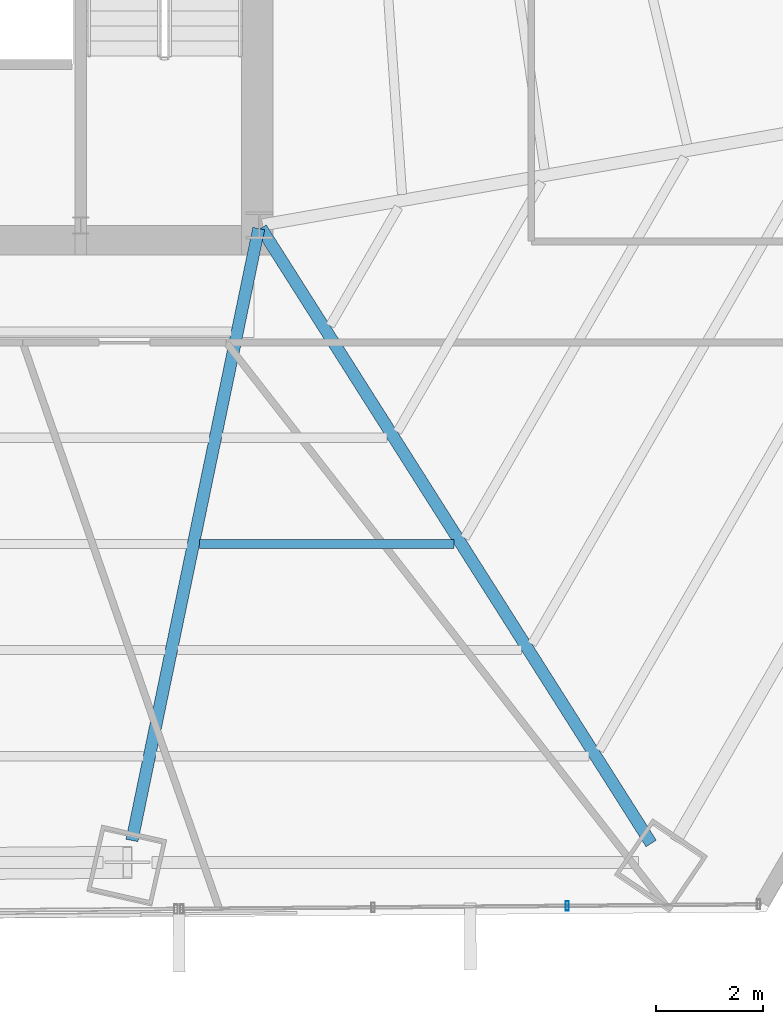
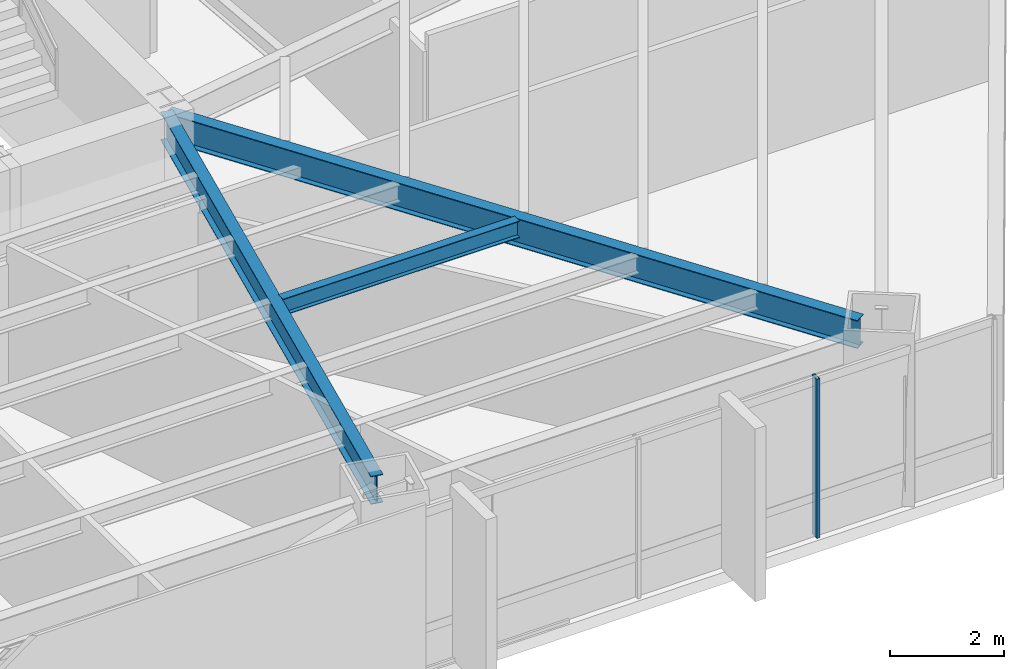
# One storey, part 16 of 34: 3 beams, 1 member, 1 element without a shape of its own.
"""IFC4 building model written with IfcOpenShell, lengths in metres."""

import ifcopenshell
import ifcopenshell.guid

model = None  # the IFC model being written
_history = None  # IfcOwnerHistory: only IFC2X3 demands one
_inside = {}  # id of a spatial element -> (the spatial element, [elements in it])
_under = {}  # id of a project, library or spatial element -> (it, [spatial elements below it])
_declared = {}  # id of a project -> (the project, [libraries it declares])
_typed = {}  # id of a type object -> (the type object, [elements of that type])
_made_of = {}  # id of a material, layer set ... -> (it, [elements and type objects made of it])


def new_model(schema):
    """Start an empty IFC model of exactly this schema.

    Asked for "IFC4X3", IfcOpenShell would pick the latest addendum, in which some entities
    have other attributes; the version numbers below select the first issue.
    IFC2X3 requires an IfcOwnerHistory on every rooted entity: one is made here for all.
    """
    global model, _history
    if schema == "IFC4X3":
        model = ifcopenshell.file(schema_version=(4, 3, 0, 0))
    else:
        model = ifcopenshell.file(schema=schema)
    _inside.clear()
    _under.clear()
    _declared.clear()
    _typed.clear()
    _made_of.clear()
    _history = None
    if model.schema == "IFC2X3":
        org = make("IfcOrganization", Name="unknown")
        user = make(
            "IfcPersonAndOrganization",
            ThePerson=make("IfcPerson", FamilyName="unknown"),
            TheOrganization=org,
        )
        app = make(
            "IfcApplication",
            ApplicationDeveloper=org,
            Version="unknown",
            ApplicationFullName="unknown",
            ApplicationIdentifier="unknown",
        )
        _history = make(
            "IfcOwnerHistory",
            OwningUser=user,
            OwningApplication=app,
            ChangeAction="ADDED",
            CreationDate=0,
        )
    return model


def make(cls, **values):
    """One entity of the class cls with the attributes given. An attribute that is None is left unset."""
    return model.create_entity(
        cls, **{name: value for name, value in values.items() if value is not None}
    )


def rooted(cls, **values):
    """An entity with a GlobalId (a new one), such as an element, a storey or a relation."""
    return make(cls, GlobalId=ifcopenshell.guid.new(), OwnerHistory=_history, **values)


def si_unit(unit_type, name, prefix=None):
    """IfcSIUnit, for example si_unit("LENGTHUNIT", "METRE", prefix="MILLI")."""
    return make("IfcSIUnit", UnitType=unit_type, Prefix=prefix, Name=name)


def assignment(units):
    """IfcUnitAssignment: the units of a project."""
    return None if units is None else make("IfcUnitAssignment", Units=units)


def point(xyz):
    """IfcCartesianPoint."""
    return None if xyz is None else make("IfcCartesianPoint", Coordinates=xyz)


def direction(xyz):
    """IfcDirection."""
    return None if xyz is None else make("IfcDirection", DirectionRatios=xyz)


def frame(location, z_axis=None, x_axis=None):
    """IfcAxis2Placement3D, a coordinate frame: its origin and axes. An axis left out is left unset."""
    return make(
        "IfcAxis2Placement3D",
        Location=point(location),
        Axis=direction(z_axis),
        RefDirection=direction(x_axis),
    )


def frame_2d(location, x_axis=None):
    """IfcAxis2Placement2D, a coordinate frame in the plane: its origin and x axis."""
    return make(
        "IfcAxis2Placement2D", Location=point(location), RefDirection=direction(x_axis)
    )


def origin():
    """The frame at (0, 0, 0) with its axes left unset."""
    return frame((0.0, 0.0, 0.0))


def origin_2d():
    """The frame at (0, 0) in the plane with its x axis left unset."""
    return frame_2d((0.0, 0.0))


def place(relative_to, where):
    """IfcLocalPlacement: puts the frame where relative to a parent placement (None: the world)."""
    return make(
        "IfcLocalPlacement", PlacementRelTo=relative_to, RelativePlacement=where
    )


def context(
    kind, dimensions, precision=None, world=None, true_north=None, identifier=None
):
    """IfcGeometricRepresentationContext, for example the 3D "Model" context."""
    return make(
        "IfcGeometricRepresentationContext",
        ContextIdentifier=identifier,
        ContextType=kind,
        CoordinateSpaceDimension=dimensions,
        Precision=precision,
        WorldCoordinateSystem=world,
        TrueNorth=true_north,
    )


def subcontext(parent, identifier, kind, view, scale=None):
    """IfcGeometricRepresentationSubContext, for example "Body" below "Model"."""
    return make(
        "IfcGeometricRepresentationSubContext",
        ContextIdentifier=identifier,
        ContextType=kind,
        ParentContext=parent,
        TargetScale=scale,
        TargetView=view,
    )


def project(units=None, contexts=None):
    """IfcProject with its units and contexts."""
    return rooted(
        "IfcProject",
        Name="project",
        RepresentationContexts=contexts,
        UnitsInContext=assignment(units),
    )


def spatial(cls, under=None, at=None, **own):
    """A site, building, storey or space (cls), placed at a placement, below another one or the project."""
    s = rooted(cls, ObjectPlacement=at, **own)
    if under is not None:
        _under.setdefault(under.id(), (under, []))[1].append(s)
    return s


def profile(cls, at=None, kind="AREA", **sizes):
    """A parametric profile (cls). Its sizes go by their IFC names, for example OverallWidth=200.0."""
    return make(cls, ProfileType=kind, Position=at, **sizes)


def hollow_rectangle(**sizes):
    """IfcRectangleHollowProfileDef."""
    return profile("IfcRectangleHollowProfileDef", **sizes)


def i_section(**sizes):
    """IfcIShapeProfileDef."""
    return profile("IfcIShapeProfileDef", **sizes)


def extrude(swept, where, along, depth):
    """IfcExtrudedAreaSolid: the profile swept, set in the frame where, extruded along a direction by depth."""
    return make(
        "IfcExtrudedAreaSolid",
        SweptArea=swept,
        Position=where,
        ExtrudedDirection=direction(along),
        Depth=depth,
    )


def shape(context_of_items, identifier, shape_type, items):
    """IfcShapeRepresentation: the items that make up one representation, for example the "Body"."""
    return make(
        "IfcShapeRepresentation",
        ContextOfItems=context_of_items,
        RepresentationIdentifier=identifier,
        RepresentationType=shape_type,
        Items=items,
    )


def source(mapping_origin, context_of_items, identifier, shape_type, items):
    """IfcRepresentationMap: a shape defined once, which mapped items show again and again."""
    return make(
        "IfcRepresentationMap",
        MappingOrigin=mapping_origin,
        MappedRepresentation=shape(context_of_items, identifier, shape_type, items),
    )


def transform(
    local_origin,
    x_axis=None,
    y_axis=None,
    z_axis=None,
    scale=None,
    scale2=None,
    scale3=None,
    uniform=True,
):
    """IfcCartesianTransformationOperator3D, or its non-uniform kind. x_axis, y_axis, z_axis: its Axis1, 2, 3."""
    if uniform:
        return make(
            "IfcCartesianTransformationOperator3D",
            Axis1=direction(x_axis),
            Axis2=direction(y_axis),
            LocalOrigin=point(local_origin),
            Scale=scale,
            Axis3=direction(z_axis),
        )
    return make(
        "IfcCartesianTransformationOperator3DnonUniform",
        Axis1=direction(x_axis),
        Axis2=direction(y_axis),
        LocalOrigin=point(local_origin),
        Scale=scale,
        Axis3=direction(z_axis),
        Scale2=scale2,
        Scale3=scale3,
    )


def mapped(mapping_source, mapping_target):
    """IfcMappedItem: shows the shape of a source again, moved by a transform."""
    return make(
        "IfcMappedItem", MappingSource=mapping_source, MappingTarget=mapping_target
    )


def material(Name=None, Category=None):
    """IfcMaterial."""
    return make("IfcMaterial", Name=Name, Category=Category)


def material_profile(
    of_material, cross_section, Name=None, Category=None, Priority=None
):
    """IfcMaterialProfile: a cross section and its material."""
    return make(
        "IfcMaterialProfile",
        Name=Name,
        Material=of_material,
        Profile=cross_section,
        Priority=Priority,
        Category=Category,
    )


def profile_set(profiles, Name=None, composite=None):
    """IfcMaterialProfileSet."""
    return make(
        "IfcMaterialProfileSet",
        Name=Name,
        MaterialProfiles=profiles,
        CompositeProfile=composite,
    )


def made_of(thing, what):
    """Note that an element or type object is made of a material, layer set ...; save() writes the relation."""
    if what is not None:
        _made_of.setdefault(what.id(), (what, []))[1].append(thing)
    return thing


def type_object(cls, material=None, **own):
    """A type object (cls), such as IfcWallType, which elements share."""
    return made_of(rooted(cls, **own), material)


def type_shapes(of_type, sources):
    """Give a type object the sources (RepresentationMaps) that its elements show as mapped items."""
    of_type.RepresentationMaps = sources


def element(
    cls,
    number,
    at=None,
    inside=None,
    cuts=None,
    type_object=None,
    material=None,
    context=None,
    identifier="Body",
    shape_type=None,
    held_by="IfcProductDefinitionShape",
    body=None,
    shapes=None,
    **own,
):
    """One element of the class cls, such as IfcWall. Its Tag is "e" and its number.

    at: its placement. inside: the storey or other place that contains it. cuts: it is an
    opening in that element (IfcRelVoidsElement). A single representation is given by context,
    identifier, shape_type and body (its items); several are given by shapes. held_by: the class
    of the entity that holds the representations. save() writes the other relations.
    """
    e = rooted(cls, Tag="e%d" % number, ObjectPlacement=at, **own)
    if body is not None:
        shapes = [shape(context, identifier, shape_type, body)]
    if shapes is not None:
        e.Representation = make(held_by, Representations=shapes)
    if inside is not None:
        _inside.setdefault(inside.id(), (inside, []))[1].append(e)
    if cuts is not None:
        rooted(
            "IfcRelVoidsElement", RelatingBuildingElement=cuts, RelatedOpeningElement=e
        )
    if type_object is not None:
        _typed.setdefault(type_object.id(), (type_object, []))[1].append(e)
    return made_of(e, material)


def aggregate(whole, parts):
    """IfcRelAggregates: a whole, such as a stair, and the parts it consists of."""
    return rooted("IfcRelAggregates", RelatingObject=whole, RelatedObjects=parts)


def save(model, path):
    """Write the relations noted so far, then the file.

    IfcRelAggregates (storeys below a building ...), IfcRelContainedInSpatialStructure (elements
    in a storey), IfcRelDefinesByType, IfcRelAssociatesMaterial and IfcRelDeclares: one each for
    every whole, place, type object, material and project.
    """
    for whole, parts in _under.values():
        aggregate(whole, parts)
    for where, things in _inside.values():
        rooted(
            "IfcRelContainedInSpatialStructure",
            RelatedElements=things,
            RelatingStructure=where,
        )
    for kind, things in _typed.values():
        rooted("IfcRelDefinesByType", RelatedObjects=things, RelatingType=kind)
    for what, things in _made_of.values():
        rooted("IfcRelAssociatesMaterial", RelatedObjects=things, RelatingMaterial=what)
    for by, libraries in _declared.values():
        rooted("IfcRelDeclares", RelatingContext=by, RelatedDefinitions=libraries)
    model.write(path)


model = new_model("IFC4")

# Units and contexts
model_context = context("Model", 3, precision=1e-05, world=origin(), true_north=direction((0.0, 1.0)))
body_context = subcontext(model_context, "Body", "Model", "MODEL_VIEW")
ifc_project = project(units=[si_unit("LENGTHUNIT", "METRE"), si_unit("AREAUNIT", "SQUARE_METRE"), si_unit("VOLUMEUNIT", "CUBIC_METRE"), si_unit("PLANEANGLEUNIT", "RADIAN"), si_unit("MASSUNIT", "GRAM", prefix="KILO")], contexts=[model_context])

# Site, building, storey
site_placement = place(None, origin())
site = spatial("IfcSite", under=ifc_project, at=site_placement, CompositionType="ELEMENT")
building_placement = place(site_placement, origin())
building = spatial("IfcBuilding", under=site, at=building_placement, Name="Caelisora Broadcast Tower", CompositionType="ELEMENT")
storey_placement = place(building_placement, frame((0.0, 0.0, 56.800048828125)))
storey = spatial("IfcBuildingStorey", under=building, at=storey_placement, Name="L14", CompositionType="ELEMENT", Elevation=56.800048828125)

# Beams
ifc_material_1 = material(Name="Steel Grade 350 (AS/NZS 3679.1)", Category="steel")
ifc_material_profile_1 = material_profile(ifc_material_1, i_section(OverallWidth=0.22802734375, OverallDepth=0.602294921875, WebThickness=0.010498046875, FlangeThickness=0.014892578125, at=origin_2d()), Name="Steel Grade 350 (AS/NZS 3679.1)")
ifc_profile_set_1 = profile_set([ifc_material_profile_1], Name="Steel Grade 350 (AS/NZS 3679.1)")
beam_type_1 = type_object("IfcBeamType", Name="PG04", PredefinedType="BEAM", material=ifc_profile_set_1)
shared_shape_1 = source(origin(), body_context, "Body", "SweptSolid", [
    extrude(i_section(OverallWidth=0.22802734375, OverallDepth=0.602294921875, WebThickness=0.010498046875, FlangeThickness=0.014892578125, at=origin_2d()), origin(), (0.0, 0.0, 1.0), 13.66796875),
])
beam_1_placement = place(storey_placement, frame((45.531982421875, 17.349365234375, 3.098876953125), z_axis=(0.535402197073, -0.844597233816, 0.0), x_axis=(0.844597233816, 0.535402197073, 0.0)))
element("IfcBeam", 1, at=beam_1_placement, inside=storey, type_object=beam_type_1, Name="L14 beam PG04", PredefinedType="BEAM", context=body_context, shape_type="MappedRepresentation", body=[
    mapped(shared_shape_1, transform((0.0, 0.0, 0.0), scale=1.0)),
])
shared_shape_2 = source(origin(), body_context, "Body", "SweptSolid", [
    extrude(i_section(OverallWidth=0.22802734375, OverallDepth=0.602294921875, WebThickness=0.010498046875, FlangeThickness=0.014892578125, at=origin_2d()), origin(), (0.0, 0.0, 1.0), 11.722900390625),
])
type_shapes(beam_type_1, [shared_shape_1, shared_shape_2])
beam_2_placement = place(storey_placement, frame((45.48779296875, 17.34130859375, 3.098876953125), z_axis=(-0.202823903376, -0.979215228752, 0.0), x_axis=(0.979215228752, -0.202823903376, 0.0)))
element("IfcBeam", 2, at=beam_2_placement, inside=storey, type_object=beam_type_1, Name="L14 beam PG04", PredefinedType="BEAM", context=body_context, shape_type="MappedRepresentation", body=[
    mapped(shared_shape_2, transform((0.0, 0.0, 0.0), scale=1.0)),
])
ifc_material_profile_2 = material_profile(ifc_material_1, i_section(OverallWidth=0.172119140625, OverallDepth=0.358642578125, WebThickness=0.008056640625, FlangeThickness=0.012939453125, at=origin_2d()), Name="Steel Grade 350 (AS/NZS 3679.1)")
ifc_profile_set_2 = profile_set([ifc_material_profile_2], Name="Steel Grade 350 (AS/NZS 3679.1)")
beam_type_2 = type_object("IfcBeamType", Name="SB02", PredefinedType="JOIST", material=ifc_profile_set_2)
shared_shape_3 = source(origin(), body_context, "Body", "SweptSolid", [
    extrude(i_section(OverallWidth=0.172119140625, OverallDepth=0.358642578125, WebThickness=0.008056640625, FlangeThickness=0.012939453125, at=origin_2d()), origin(), (0.0, 0.0, 1.0), 4.77978515625),
])
type_shapes(beam_type_2, [shared_shape_3])
beam_3_placement = place(storey_placement, frame((44.375732421875, 11.42529296875, 3.220703125), z_axis=(1.0, 0.0, 0.0), x_axis=(0.0, 1.0, 0.0)))
element("IfcBeam", 3, at=beam_3_placement, inside=storey, type_object=beam_type_2, Name="L14 beam SB02", PredefinedType="JOIST", context=body_context, shape_type="MappedRepresentation", body=[
    mapped(shared_shape_3, transform((0.0, 0.0, 0.0), scale=1.0)),
])

# Curtain wall, member
ifc_material_2 = material(Name="Unitised Aluminium and Low-E Glass Curtain Wall", Category="glass")
curtain_wall_type = type_object("IfcCurtainWallType", Name="CW-Z1", PredefinedType="NOTDEFINED", material=ifc_material_2)
curtain_wall_placement = place(storey_placement, origin())
curtain_wall = element("IfcCurtainWall", 4, at=curtain_wall_placement, inside=storey, type_object=curtain_wall_type, Name="L14 curtain wall CW-Z1", PredefinedType="NOTDEFINED")
ifc_material_3 = material(Name="Aluminium 6063-T6 Anodised Terracotta Bronze", Category="aluminium")
ifc_material_profile_3 = material_profile(ifc_material_3, hollow_rectangle(XDim=0.06494140625, YDim=0.179931640625, WallThickness=0.00341796875, at=origin_2d()), Name="Aluminium 6063-T6 Anodised Terracotta Bronze")
ifc_profile_set_3 = profile_set([ifc_material_profile_3], Name="Aluminium 6063-T6 Anodised Terracotta Bronze")
member_type = type_object("IfcMemberType", Name="CWM-02", PredefinedType="MULLION", material=ifc_profile_set_3)
shared_shape_4 = source(origin(), body_context, "Body", "SweptSolid", [
    extrude(hollow_rectangle(XDim=0.06494140625, YDim=0.179931640625, WallThickness=0.00341796875, at=origin_2d()), origin(), (0.0, 0.0, 1.0), 3.39990234375),
])
type_shapes(member_type, [shared_shape_4])
member_placement = place(storey_placement, frame((51.275634765625, 4.635986328125, 0.0), z_axis=(0.0, 0.0, 1.0), x_axis=(1.0, 0.0, 0.0)))
member = element("IfcMember", 5, at=member_placement, type_object=member_type, Name="L14-CW-B05 mullion #1", PredefinedType="MULLION", context=body_context, shape_type="MappedRepresentation", body=[
    mapped(shared_shape_4, transform((0.0, 0.0, 0.0), scale=1.0)),
])
aggregate(curtain_wall, [member])

save(model, "model.ifc")
